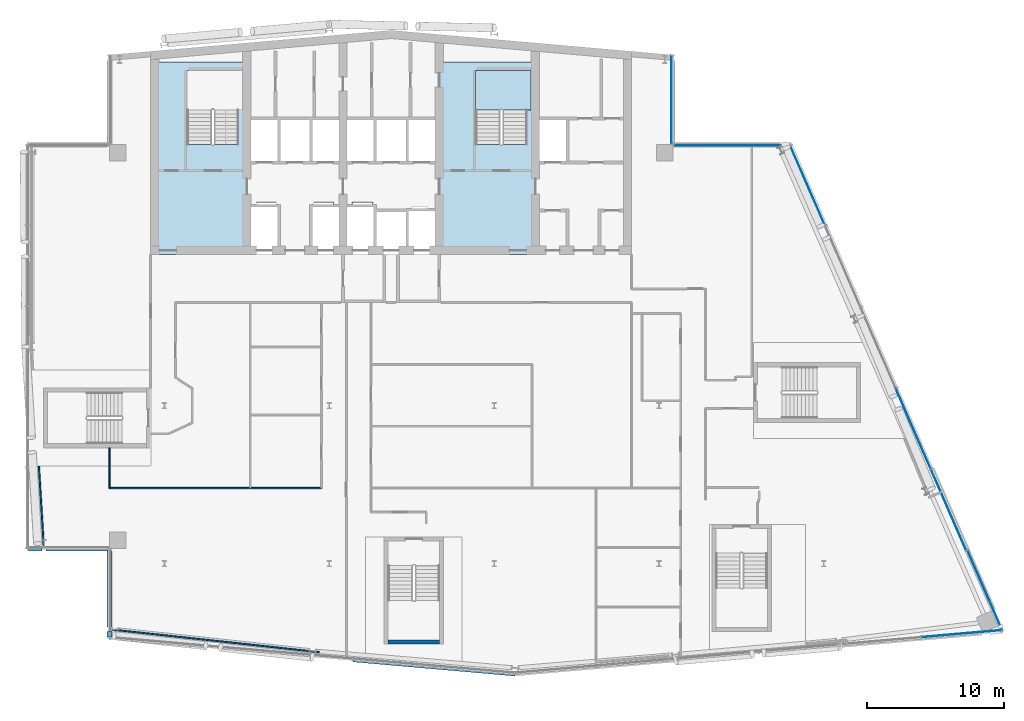
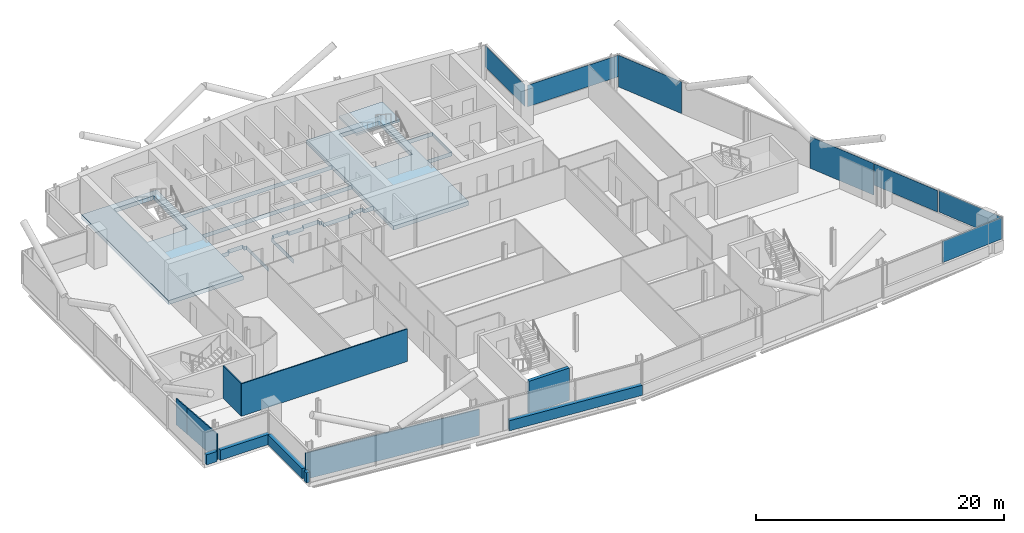
# One storey, part 14 of 27: 11 walls, 7 plates, 2 slabs, 5 elements without a shape of their own.
"""IFC4 building model written with IfcOpenShell, lengths in metres."""

from ifc_helpers import new_model, si_unit, direction, frame, frame_2d, origin, origin_2d, place, context, subcontext, project, spatial, polyline, rectangle, outline, extrude, material, layer, layer_set, type_object, element, aggregate, save


model = new_model("IFC4")

# Units and contexts
model_context = context("Model", 3, precision=1e-05, world=origin(), true_north=direction((0.0, 1.0)))
body_context = subcontext(model_context, "Body", "Model", "MODEL_VIEW")
ifc_project = project(units=[si_unit("LENGTHUNIT", "METRE"), si_unit("AREAUNIT", "SQUARE_METRE"), si_unit("VOLUMEUNIT", "CUBIC_METRE"), si_unit("PLANEANGLEUNIT", "RADIAN"), si_unit("MASSUNIT", "GRAM", prefix="KILO")], contexts=[model_context])

# Site, building, storey
site_placement = place(None, origin())
site = spatial("IfcSite", under=ifc_project, at=site_placement, CompositionType="ELEMENT")
building_placement = place(site_placement, origin())
building = spatial("IfcBuilding", under=site, at=building_placement, Name="Wharfspan Tower", CompositionType="ELEMENT")
storey_placement = place(building_placement, frame((0.0, 0.0, 228.699951)))
storey = spatial("IfcBuildingStorey", under=building, at=storey_placement, Name="L57", CompositionType="ELEMENT", Elevation=228.699951)

# Curtain wall, plate
ifc_material_1 = material(Name="Aluminium 6063-T6", Category="aluminium")
curtain_wall_type_1 = type_object("IfcCurtainWallType", Name="CURTAIN WALL FACETED FRONT", PredefinedType="NOTDEFINED", material=ifc_material_1)
curtain_wall_1_placement = place(storey_placement, origin())
curtain_wall_1 = element("IfcCurtainWall", 1, at=curtain_wall_1_placement, inside=storey, type_object=curtain_wall_type_1, Name="Curtain wall S2", PredefinedType="NOTDEFINED")
ifc_material_2 = material(Name="Glass clear low-iron double glazing", Category="glass")
ifc_layer_1 = layer(ifc_material_2, 0.040039)
ifc_layer_set_1 = layer_set([ifc_layer_1], Name="Glass clear low-iron double glazing")
plate_type_1 = type_object("IfcPlateType", Name="GLASS PANEL FACETED FRONT 40", PredefinedType="CURTAIN_PANEL", material=ifc_layer_set_1)
plate_1_placement = place(storey_placement, frame((82.021484, 6.399658, 1.0), z_axis=(0.0, 0.0, 1.0), x_axis=(0.996197, 0.087156, 0.0)))
plate_1 = element("IfcPlate", 2, at=plate_1_placement, type_object=plate_type_1, Name="Curtain wall S2 panel 6", PredefinedType="CURTAIN_PANEL", context=body_context, shape_type="SweptSolid", body=[
    extrude(rectangle(XDim=5.849365, YDim=0.040039, at=origin_2d()), origin(), (0.0, 0.0, 1.0), 2.120117),
])
aggregate(curtain_wall_1, [plate_1])

# Curtain wall, plates
curtain_wall_type_2 = type_object("IfcCurtainWallType", Name="CURTAIN WALL PROW AND END", PredefinedType="NOTDEFINED", material=ifc_material_1)
curtain_wall_2_placement = place(storey_placement, origin())
curtain_wall_2 = element("IfcCurtainWall", 3, at=curtain_wall_2_placement, inside=storey, type_object=curtain_wall_type_2, Name="Curtain wall E", PredefinedType="NOTDEFINED")
ifc_layer_2 = layer(ifc_material_2, 0.040039)
ifc_layer_set_2 = layer_set([ifc_layer_2], Name="Glass clear low-iron double glazing")
plate_type_2 = type_object("IfcPlateType", Name="GLASS PANEL PROW AND END 40", PredefinedType="CURTAIN_PANEL", material=ifc_layer_set_2)
plate_2_placement = place(storey_placement, frame((83.711426, 9.563721, 1.0), z_axis=(0.0, 0.0, 1.0), x_axis=(-0.398727, 0.917072, 0.0)))
plate_2 = element("IfcPlate", 4, at=plate_2_placement, type_object=plate_type_2, Name="Curtain wall E panel 1", PredefinedType="CURTAIN_PANEL", context=body_context, shape_type="SweptSolid", body=[
    extrude(rectangle(XDim=6.343506, YDim=0.040039, at=origin_2d()), origin(), (0.0, 0.0, 1.0), 2.120117),
])
plate_3_placement = place(storey_placement, frame((81.078857, 15.418213, 1.0), z_axis=(0.0, 0.0, 1.0), x_axis=(-0.398727, 0.917072, 0.0)))
plate_3 = element("IfcPlate", 5, at=plate_3_placement, type_object=plate_type_2, Name="Curtain wall E panel 2", PredefinedType="CURTAIN_PANEL", context=body_context, shape_type="SweptSolid", body=[
    extrude(rectangle(XDim=6.373535, YDim=0.040039, at=origin_2d()), origin(), (0.0, 0.0, 1.0), 2.120117),
])

# Curtain wall, plate
curtain_wall_3_placement = place(storey_placement, origin())
curtain_wall_3 = element("IfcCurtainWall", 6, at=curtain_wall_3_placement, inside=storey, type_object=curtain_wall_type_2, Name="Curtain wall NRE-H", PredefinedType="NOTDEFINED")
plate_4_placement = place(storey_placement, frame((65.304443, 41.919922, 1.0), z_axis=(0.0, 0.0, 1.0), x_axis=(-1.0, 0.0, 0.0)))
plate_4 = element("IfcPlate", 7, at=plate_4_placement, type_object=plate_type_2, Name="Curtain wall NRE-H panel 1", PredefinedType="CURTAIN_PANEL", context=body_context, shape_type="SweptSolid", body=[
    extrude(rectangle(XDim=8.48877, YDim=0.040039, at=origin_2d()), origin(), (0.0, 0.0, 1.0), 2.120117),
])
aggregate(curtain_wall_3, [plate_4])

curtain_wall_4_placement = place(storey_placement, origin())
curtain_wall_4 = element("IfcCurtainWall", 8, at=curtain_wall_4_placement, inside=storey, type_object=curtain_wall_type_2, Name="Curtain wall NRE-V", PredefinedType="NOTDEFINED")
plate_5_placement = place(storey_placement, frame((60.919922, 45.262451, 1.0), z_axis=(0.0, 0.0, 1.0), x_axis=(0.0, 1.0, 0.0)))
plate_5 = element("IfcPlate", 9, at=plate_5_placement, type_object=plate_type_2, Name="Curtain wall NRE-V panel 1", PredefinedType="CURTAIN_PANEL", context=body_context, shape_type="SweptSolid", body=[
    extrude(rectangle(XDim=6.405029, YDim=0.040039, at=origin_2d()), origin(), (0.0, 0.0, 1.0), 2.120117),
])
aggregate(curtain_wall_4, [plate_5])

# Plate
ifc_material_3 = material(Name="Aluminium composite opaque insulated panel", Category="aluminium")
ifc_layer_3 = layer(ifc_material_3, 0.040039)
ifc_layer_set_3 = layer_set([ifc_layer_3], Name="Aluminium composite opaque insulated panel")
plate_type_3 = type_object("IfcPlateType", Name="INFILL PANEL PROW AND END OPAQUE 40", PredefinedType="SHEET", material=ifc_layer_set_3)
plate_6_placement = place(storey_placement, frame((78.513672, 21.318115, 0.0), z_axis=(0.0, 0.0, 1.0), x_axis=(-0.398727, 0.917072, 0.0)))
plate_6 = element("IfcPlate", 10, at=plate_6_placement, type_object=plate_type_3, Name="Curtain wall E panel 3", PredefinedType="SHEET", context=body_context, shape_type="SweptSolid", body=[
    extrude(rectangle(XDim=6.373535, YDim=0.040039, at=origin_2d()), origin(), (0.0, 0.0, 1.0), 3.120117),
])

plate_7_placement = place(storey_placement, frame((70.823975, 39.004395, 0.0), z_axis=(0.0, 0.0, 1.0), x_axis=(-0.398727, 0.917072, 0.0)))
plate_7 = element("IfcPlate", 11, at=plate_7_placement, type_object=plate_type_3, Name="Curtain wall E panel 6", PredefinedType="SHEET", context=body_context, shape_type="SweptSolid", body=[
    extrude(rectangle(XDim=6.343506, YDim=0.040039, at=origin_2d()), origin(), (0.0, 0.0, 1.0), 3.120117),
])

aggregate(curtain_wall_2, [plate_2, plate_3, plate_6, plate_7])

# Slab
ifc_material_4 = material(Name="Concrete C40/50", Category="concrete")
ifc_layer_4 = layer(ifc_material_4, 0.399902)
ifc_layer_set_4 = layer_set([ifc_layer_4], Name="Concrete C40/50")
slab_type_1 = type_object("IfcSlabType", Name="Post-tensioned flat slab 400", PredefinedType="FLOOR", material=ifc_layer_set_4)
slab_1_placement = place(storey_placement, frame((0.0, 0.0, -0.400146)))
element("IfcSlab", 12, at=slab_1_placement, inside=storey, type_object=slab_type_1, Name="Core floor slab L57 part 2", PredefinedType="FLOOR", context=body_context, shape_type="SweptSolid", body=[
    extrude(outline(polyline([(23.0, 34.0), (29.998047, 34.0), (29.998047, 37.550049), (29.998047, 37.550293), (29.998047, 37.550293), (29.998047, 37.550537), (29.998291, 37.550781), (29.998291, 37.550781), (29.998291, 37.551025), (29.998535, 37.55127), (29.998535, 37.551514), (29.998779, 37.551514), (29.998779, 37.551758), (29.999023, 37.551758), (29.999268, 37.551758), (29.999512, 37.552002), (29.999512, 37.552002), (29.999756, 37.552002), (30.0, 37.552002), (30.7146, 37.552002), (30.7146, 37.800049), (30.7146, 37.800293), (30.7146, 37.800293), (30.714844, 37.800537), (30.714844, 37.800781), (30.714844, 37.800781), (30.715088, 37.801025), (30.715088, 37.80127), (30.715332, 37.801514), (30.715332, 37.801514), (30.715576, 37.801758), (30.71582, 37.801758), (30.71582, 37.801758), (30.716064, 37.802002), (30.716309, 37.802002), (30.716553, 37.802002), (30.716797, 37.802002), (32.116699, 37.802002), (32.116943, 37.802002), (32.117188, 37.802002), (32.117188, 37.802002), (32.117432, 37.801758), (32.117676, 37.801758), (32.11792, 37.801758), (32.11792, 37.801514), (32.118164, 37.801514), (32.118164, 37.80127), (32.118408, 37.801025), (32.118408, 37.800781), (32.118408, 37.800781), (32.118652, 37.800537), (32.118652, 37.800293), (32.118652, 37.800293), (32.118652, 37.800049), (32.118652, 37.552002), (32.333252, 37.552002), (32.333496, 37.552002), (32.33374, 37.552002), (32.333984, 37.552002), (32.333984, 37.551758), (32.334229, 37.551758), (32.334473, 37.551758), (32.334717, 37.551514), (32.334717, 37.551514), (32.334961, 37.55127), (32.334961, 37.551025), (32.335205, 37.550781), (32.335205, 37.550781), (32.335205, 37.550537), (32.335205, 37.550293), (32.335205, 37.550293), (32.335205, 37.550049), (32.335205, 34.0), (32.341309, 34.0), (32.341309, 37.558105), (32.126709, 37.558105), (32.126465, 37.558105), (32.126221, 37.558105), (32.126221, 37.558105), (32.125977, 37.558105), (32.125732, 37.558105), (32.125488, 37.55835), (32.125488, 37.558594), (32.125244, 37.558594), (32.125244, 37.558594), (32.125, 37.558838), (32.125, 37.559082), (32.125, 37.559082), (32.124756, 37.559326), (32.124756, 37.55957), (32.124756, 37.559814), (32.124756, 37.560059), (32.124756, 37.808105), (30.70874, 37.808105), (30.70874, 37.560059), (30.70874, 37.559814), (30.70874, 37.55957), (30.708496, 37.559326), (30.708496, 37.559082), (30.708496, 37.559082), (30.708496, 37.558838), (30.708252, 37.558594), (30.708008, 37.558594), (30.708008, 37.558594), (30.707764, 37.55835), (30.70752, 37.558105), (30.70752, 37.558105), (30.707275, 37.558105), (30.707031, 37.558105), (30.706787, 37.558105), (30.706787, 37.558105), (30.01001, 37.558105), (30.009766, 37.558105), (30.009521, 37.558105), (30.009521, 37.558105), (30.009277, 37.558105), (30.009033, 37.558105), (30.008789, 37.55835), (30.008789, 37.558594), (30.008545, 37.558594), (30.008545, 37.558594), (30.008301, 37.558838), (30.008301, 37.559082), (30.008301, 37.559082), (30.008057, 37.559326), (30.008057, 37.55957), (30.008057, 37.559814), (30.008057, 37.560059), (30.008057, 40.689941), (30.008057, 40.690186), (30.008057, 40.69043), (30.008057, 40.690674), (30.008301, 40.690918), (30.008301, 40.690918), (30.008301, 40.691162), (30.008545, 40.691406), (30.008545, 40.691406), (30.008789, 40.691406), (30.008789, 40.69165), (30.009033, 40.691895), (30.009277, 40.691895), (30.009521, 40.691895), (30.009521, 40.691895), (30.009766, 40.691895), (30.01001, 40.691895), (43.98999, 40.691895), (43.990234, 40.691895), (43.990479, 40.691895), (43.990479, 40.691895), (43.990723, 40.691895), (43.990967, 40.691895), (43.991211, 40.69165), (43.991211, 40.691406), (43.991455, 40.691406), (43.991455, 40.691406), (43.991699, 40.691162), (43.991699, 40.690918), (43.991699, 40.690918), (43.991943, 40.690674), (43.991943, 40.69043), (43.991943, 40.690186), (43.991943, 40.689941), (43.991943, 37.26001), (43.991943, 37.259766), (43.991943, 37.259521), (43.991943, 37.259521), (43.991699, 37.259277), (43.991699, 37.259033), (43.991699, 37.258789), (43.991455, 37.258789), (43.991455, 37.258545), (43.991211, 37.258545), (43.991211, 37.258301), (43.990967, 37.258301), (43.990723, 37.258301), (43.990479, 37.258057), (43.990479, 37.258057), (43.990234, 37.258057), (43.98999, 37.258057), (43.143311, 37.258057), (43.143066, 37.258057), (43.142822, 37.258057), (43.142578, 37.258057), (43.142578, 37.258301), (43.142334, 37.258301), (43.14209, 37.258301), (43.14209, 37.258545), (43.141846, 37.258545), (43.141846, 37.258789), (43.141602, 37.258789), (43.141602, 37.259033), (43.141602, 37.259277), (43.141357, 37.259521), (43.141357, 37.259521), (43.141357, 37.259766), (43.141357, 37.26001), (43.141357, 37.508057), (42.025391, 37.508057), (42.025391, 37.26001), (42.025391, 37.259766), (42.025391, 37.259521), (42.025146, 37.259521), (42.025146, 37.259277), (42.025146, 37.259033), (42.024902, 37.258789), (42.024902, 37.258789), (42.024658, 37.258545), (42.024658, 37.258545), (42.024414, 37.258301), (42.02417, 37.258301), (42.02417, 37.258301), (42.023926, 37.258057), (42.023682, 37.258057), (42.023438, 37.258057), (42.023193, 37.258057), (41.658691, 37.258057), (41.658691, 37.209961), (41.658691, 37.209717), (41.658691, 37.209717), (41.658691, 37.209473), (41.658447, 37.209229), (41.658447, 37.208984), (41.658447, 37.208984), (41.658203, 37.20874), (41.658203, 37.208496), (41.657959, 37.208496), (41.657715, 37.208252), (41.657715, 37.208252), (41.657471, 37.208252), (41.657227, 37.208008), (41.656982, 37.208008), (41.656982, 37.208008), (41.656738, 37.208008), (39.343262, 37.208008), (39.343018, 37.208008), (39.343018, 37.208008), (39.342773, 37.208008), (39.342529, 37.208252), (39.342285, 37.208252), (39.342285, 37.208252), (39.342041, 37.208496), (39.341797, 37.208496), (39.341797, 37.20874), (39.341553, 37.208984), (39.341553, 37.208984), (39.341553, 37.209229), (39.341309, 37.209473), (39.341309, 37.209717), (39.341309, 37.209717), (39.341309, 37.209961), (39.341309, 37.558105), (39.166748, 37.558105), (39.166504, 37.558105), (39.16626, 37.558105), (39.166016, 37.558105), (39.166016, 37.558105), (39.165771, 37.558105), (39.165527, 37.55835), (39.165283, 37.558594), (39.165283, 37.558594), (39.165283, 37.558594), (39.165039, 37.558838), (39.164795, 37.559082), (39.164795, 37.559082), (39.164795, 37.559326), (39.164795, 37.55957), (39.164795, 37.559814), (39.164795, 37.560059), (39.164795, 37.808105), (37.668701, 37.808105), (37.668701, 37.560059), (37.668701, 37.559814), (37.668701, 37.55957), (37.668701, 37.559326), (37.668457, 37.559082), (37.668457, 37.559082), (37.668457, 37.558838), (37.668213, 37.558594), (37.668213, 37.558594), (37.667969, 37.558594), (37.667725, 37.55835), (37.66748, 37.558105), (37.66748, 37.558105), (37.667236, 37.558105), (37.666992, 37.558105), (37.666992, 37.558105), (37.666748, 37.558105), (36.293213, 37.558105), (36.293213, 37.558105), (36.292969, 37.558105), (36.292725, 37.558105), (36.29248, 37.558105), (36.29248, 37.558105), (36.292236, 37.55835), (36.291992, 37.558594), (36.291992, 37.558594), (36.291748, 37.558594), (36.291504, 37.558838), (36.291504, 37.559082), (36.291504, 37.559082), (36.291504, 37.559326), (36.29126, 37.55957), (36.29126, 37.559814), (36.29126, 37.560059), (36.29126, 37.808105), (34.875244, 37.808105), (34.875244, 37.560059), (34.875244, 37.559814), (34.875244, 37.55957), (34.875244, 37.559326), (34.875, 37.559082), (34.875, 37.559082), (34.875, 37.558838), (34.874756, 37.558594), (34.874756, 37.558594), (34.874512, 37.558594), (34.874512, 37.55835), (34.874268, 37.558105), (34.874023, 37.558105), (34.873779, 37.558105), (34.873779, 37.558105), (34.873535, 37.558105), (34.873291, 37.558105), (34.658691, 37.558105), (34.658691, 34.0), (34.664795, 34.0), (34.664795, 37.550049), (34.664795, 37.550293), (34.664795, 37.550293), (34.664795, 37.550537), (34.664795, 37.550781), (34.664795, 37.550781), (34.665039, 37.551025), (34.665039, 37.55127), (34.665283, 37.551514), (34.665283, 37.551514), (34.665527, 37.551758), (34.665771, 37.551758), (34.666016, 37.551758), (34.666016, 37.552002), (34.66626, 37.552002), (34.666504, 37.552002), (34.666748, 37.552002), (34.881348, 37.552002), (34.881348, 37.800049), (34.881348, 37.800293), (34.881348, 37.800293), (34.881348, 37.800537), (34.881592, 37.800781), (34.881592, 37.800781), (34.881592, 37.801025), (34.881836, 37.80127), (34.881836, 37.801514), (34.88208, 37.801514), (34.88208, 37.801758), (34.882324, 37.801758), (34.882568, 37.801758), (34.882812, 37.802002), (34.882812, 37.802002), (34.883057, 37.802002), (34.883301, 37.802002), (36.283203, 37.802002), (36.283447, 37.802002), (36.283691, 37.802002), (36.283936, 37.802002), (36.28418, 37.801758), (36.28418, 37.801758), (36.284424, 37.801758), (36.284668, 37.801514), (36.284668, 37.801514), (36.284912, 37.80127), (36.284912, 37.801025), (36.285156, 37.800781), (36.285156, 37.800781), (36.285156, 37.800537), (36.2854, 37.800293), (36.2854, 37.800293), (36.2854, 37.800049), (36.2854, 37.552002), (37.674805, 37.552002), (37.674805, 37.800049), (37.674805, 37.800293), (37.674805, 37.800293), (37.674805, 37.800537), (37.674805, 37.800781), (37.674805, 37.800781), (37.675049, 37.801025), (37.675049, 37.80127), (37.675293, 37.801514), (37.675293, 37.801514), (37.675537, 37.801758), (37.675781, 37.801758), (37.675781, 37.801758), (37.676025, 37.802002), (37.67627, 37.802002), (37.676514, 37.802002), (37.676758, 37.802002), (39.156738, 37.802002), (39.156982, 37.802002), (39.156982, 37.802002), (39.157227, 37.802002), (39.157471, 37.801758), (39.157715, 37.801758), (39.157715, 37.801758), (39.157959, 37.801514), (39.158203, 37.801514), (39.158203, 37.80127), (39.158203, 37.801025), (39.158447, 37.800781), (39.158447, 37.800781), (39.158691, 37.800537), (39.158691, 37.800293), (39.158691, 37.800293), (39.158691, 37.800049), (39.158691, 37.552002), (39.333252, 37.552002), (39.333496, 37.552002), (39.33374, 37.552002), (39.333984, 37.552002), (39.333984, 37.551758), (39.334229, 37.551758), (39.334473, 37.551758), (39.334717, 37.551514), (39.334717, 37.551514), (39.334961, 37.55127), (39.334961, 37.551025), (39.335205, 37.550781), (39.335205, 37.550781), (39.335205, 37.550537), (39.335205, 37.550293), (39.335205, 37.550293), (39.335205, 37.550049), (39.335205, 37.201904), (41.664795, 37.201904), (41.664795, 37.25), (41.664795, 37.250244), (41.664795, 37.250488), (41.664795, 37.250488), (41.664795, 37.250732), (41.664795, 37.250977), (41.665039, 37.251221), (41.665039, 37.251221), (41.665283, 37.251465), (41.665283, 37.251465), (41.665527, 37.251709), (41.665771, 37.251709), (41.666016, 37.251709), (41.666016, 37.251953), (41.66626, 37.251953), (41.666504, 37.251953), (41.666748, 37.251953), (42.03125, 37.251953), (42.03125, 37.5), (42.03125, 37.500244), (42.031494, 37.500488), (42.031494, 37.500488), (42.031494, 37.500732), (42.031494, 37.500977), (42.031738, 37.501221), (42.031738, 37.501221), (42.031982, 37.501465), (42.031982, 37.501465), (42.032227, 37.501709), (42.032471, 37.501709), (42.032715, 37.501709), (42.032715, 37.501953), (42.032959, 37.501953), (42.033203, 37.501953), (42.033203, 37.501953), (43.133301, 37.501953), (43.133545, 37.501953), (43.133789, 37.501953), (43.133789, 37.501953), (43.134033, 37.501709), (43.134277, 37.501709), (43.134521, 37.501709), (43.134521, 37.501465), (43.134766, 37.501465), (43.13501, 37.501221), (43.13501, 37.501221), (43.13501, 37.500977), (43.135254, 37.500732), (43.135254, 37.500488), (43.135254, 37.500488), (43.135254, 37.500244), (43.135254, 37.5), (43.135254, 37.251953), (44.0, 37.251953), (44.000244, 37.251953), (44.000488, 37.251953), (44.000488, 37.251953), (44.000732, 37.251709), (44.000977, 37.251709), (44.001221, 37.251709), (44.001221, 37.251465), (44.001465, 37.251465), (44.001465, 37.251221), (44.001709, 37.251221), (44.001709, 37.250977), (44.001709, 37.250732), (44.001953, 37.250488), (44.001953, 37.250488), (44.001953, 37.250244), (44.001953, 37.25), (44.001953, 34.0), (51.0, 34.0), (51.008057, 34.0), (51.008057, 40.689941), (51.008057, 40.690186), (51.008057, 40.69043), (51.008057, 40.690674), (51.008301, 40.690918), (51.008301, 40.690918), (51.008301, 40.691162), (51.008545, 40.691406), (51.008545, 40.691406), (51.008789, 40.691406), (51.008789, 40.69165), (51.009033, 40.691895), (51.009277, 40.691895), (51.009521, 40.691895), (51.009521, 40.691895), (51.009766, 40.691895), (51.01001, 40.691895), (53.341309, 40.691895), (53.341309, 43.907959), (51.01001, 43.907959), (51.009766, 43.907959), (51.009521, 43.907959), (51.009521, 43.908203), (51.009277, 43.908203), (51.009033, 43.908203), (51.008789, 43.908203), (51.008789, 43.908447), (51.008545, 43.908691), (51.008545, 43.908691), (51.008301, 43.908936), (51.008301, 43.90918), (51.008301, 43.90918), (51.008057, 43.909424), (51.008057, 43.909668), (51.008057, 43.909912), (51.008057, 43.909912), (51.008057, 48.008057), (43.991943, 48.008057), (43.991943, 43.909912), (43.991943, 43.909912), (43.991943, 43.909668), (43.991943, 43.909424), (43.991699, 43.90918), (43.991699, 43.90918), (43.991699, 43.908936), (43.991455, 43.908691), (43.991455, 43.908691), (43.991211, 43.908447), (43.991211, 43.908203), (43.990967, 43.908203), (43.990723, 43.908203), (43.990479, 43.908203), (43.990479, 43.907959), (43.990234, 43.907959), (43.98999, 43.907959), (30.01001, 43.907959), (30.009766, 43.907959), (30.009521, 43.907959), (30.009521, 43.908203), (30.009277, 43.908203), (30.009033, 43.908203), (30.008789, 43.908203), (30.008789, 43.908447), (30.008545, 43.908691), (30.008545, 43.908691), (30.008301, 43.908936), (30.008301, 43.90918), (30.008301, 43.90918), (30.008057, 43.909424), (30.008057, 43.909668), (30.008057, 43.909912), (30.008057, 43.909912), (30.008057, 48.008057), (23.0, 48.008057), (23.0, 48.0), (23.0, 34.0)]), holes=[polyline([(53.333252, 43.9021), (53.333496, 43.9021), (53.33374, 43.9021), (53.333984, 43.901855), (53.333984, 43.901855), (53.334229, 43.901855), (53.334473, 43.901611), (53.334717, 43.901611), (53.334717, 43.901367), (53.334961, 43.901367), (53.334961, 43.901123), (53.335205, 43.900879), (53.335205, 43.900879), (53.335205, 43.900635), (53.335205, 43.900391), (53.335205, 43.900146), (53.335205, 43.899902), (53.335205, 40.699951), (53.335205, 40.699707), (53.335205, 40.699707), (53.335205, 40.699463), (53.335205, 40.699219), (53.335205, 40.699219), (53.334961, 40.698975), (53.334961, 40.69873), (53.334717, 40.698486), (53.334717, 40.698486), (53.334473, 40.698242), (53.334229, 40.698242), (53.333984, 40.698242), (53.333984, 40.697998), (53.33374, 40.697998), (53.333496, 40.697998), (53.333252, 40.697998), (51.0, 40.697998), (50.999756, 40.697998), (50.999512, 40.697998), (50.999512, 40.697998), (50.999268, 40.698242), (50.999023, 40.698242), (50.998779, 40.698242), (50.998779, 40.698486), (50.998535, 40.698486), (50.998535, 40.69873), (50.998291, 40.698975), (50.998291, 40.699219), (50.998291, 40.699219), (50.998047, 40.699463), (50.998047, 40.699707), (50.998047, 40.699707), (50.998047, 40.699951), (50.998047, 43.899902), (50.998047, 43.900146), (50.998047, 43.900391), (50.998047, 43.900635), (50.998291, 43.900879), (50.998291, 43.900879), (50.998291, 43.901123), (50.998535, 43.901367), (50.998535, 43.901367), (50.998779, 43.901611), (50.998779, 43.901611), (50.999023, 43.901855), (50.999268, 43.901855), (50.999512, 43.901855), (50.999512, 43.9021), (50.999756, 43.9021), (51.0, 43.9021), (53.333252, 43.9021)]), polyline([(46.649902, 41.998047), (46.649902, 41.998047), (46.649658, 41.998047), (46.649414, 41.998047), (46.64917, 41.998291), (46.64917, 41.998291), (46.648926, 41.998291), (46.648682, 41.998535), (46.648682, 41.998535), (46.648438, 41.998779), (46.648193, 41.998779), (46.648193, 41.999023), (46.648193, 41.999268), (46.648193, 41.999512), (46.647949, 41.999512), (46.647949, 41.999756), (46.647949, 42.0), (46.647949, 47.399902), (46.647949, 47.400146), (46.647949, 47.400391), (46.648193, 47.400635), (46.648193, 47.400879), (46.648193, 47.400879), (46.648193, 47.401123), (46.648438, 47.401367), (46.648682, 47.401367), (46.648682, 47.401611), (46.648926, 47.401611), (46.64917, 47.401855), (46.64917, 47.401855), (46.649414, 47.401855), (46.649658, 47.4021), (46.649902, 47.4021), (46.649902, 47.4021), (50.399902, 47.4021), (50.400146, 47.4021), (50.400391, 47.4021), (50.400635, 47.401855), (50.400879, 47.401855), (50.400879, 47.401855), (50.401123, 47.401611), (50.401367, 47.401611), (50.401367, 47.401367), (50.401611, 47.401367), (50.401611, 47.401123), (50.401855, 47.400879), (50.401855, 47.400879), (50.401855, 47.400635), (50.4021, 47.400391), (50.4021, 47.400146), (50.4021, 47.399902), (50.4021, 42.0), (50.4021, 41.999756), (50.4021, 41.999512), (50.401855, 41.999512), (50.401855, 41.999268), (50.401855, 41.999023), (50.401611, 41.998779), (50.401611, 41.998779), (50.401367, 41.998535), (50.401367, 41.998535), (50.401123, 41.998291), (50.400879, 41.998291), (50.400879, 41.998291), (50.400635, 41.998047), (50.400391, 41.998047), (50.400146, 41.998047), (50.399902, 41.998047), (46.649902, 41.998047)]), polyline([(44.0, 43.9021), (44.000244, 43.9021), (44.000488, 43.9021), (44.000488, 43.901855), (44.000732, 43.901855), (44.000977, 43.901855), (44.001221, 43.901611), (44.001221, 43.901611), (44.001465, 43.901367), (44.001465, 43.901367), (44.001709, 43.901123), (44.001709, 43.900879), (44.001709, 43.900879), (44.001953, 43.900635), (44.001953, 43.900391), (44.001953, 43.900146), (44.001953, 43.899902), (44.001953, 40.699951), (44.001953, 40.699707), (44.001953, 40.699707), (44.001953, 40.699463), (44.001709, 40.699219), (44.001709, 40.699219), (44.001709, 40.698975), (44.001465, 40.69873), (44.001465, 40.698486), (44.001221, 40.698486), (44.001221, 40.698242), (44.000977, 40.698242), (44.000732, 40.698242), (44.000488, 40.697998), (44.000488, 40.697998), (44.000244, 40.697998), (44.0, 40.697998), (30.0, 40.697998), (29.999756, 40.697998), (29.999512, 40.697998), (29.999512, 40.697998), (29.999268, 40.698242), (29.999023, 40.698242), (29.998779, 40.698242), (29.998779, 40.698486), (29.998535, 40.698486), (29.998535, 40.69873), (29.998291, 40.698975), (29.998291, 40.699219), (29.998291, 40.699219), (29.998047, 40.699463), (29.998047, 40.699707), (29.998047, 40.699707), (29.998047, 40.699951), (29.998047, 43.899902), (29.998047, 43.900146), (29.998047, 43.900391), (29.998047, 43.900635), (29.998291, 43.900879), (29.998291, 43.900879), (29.998291, 43.901123), (29.998535, 43.901367), (29.998535, 43.901367), (29.998779, 43.901611), (29.998779, 43.901611), (29.999023, 43.901855), (29.999268, 43.901855), (29.999512, 43.901855), (29.999512, 43.9021), (29.999756, 43.9021), (30.0, 43.9021), (44.0, 43.9021)]), polyline([(29.4021, 42.0), (29.4021, 41.999756), (29.4021, 41.999512), (29.401855, 41.999512), (29.401855, 41.999268), (29.401855, 41.999023), (29.401611, 41.998779), (29.401611, 41.998779), (29.401367, 41.998535), (29.401367, 41.998535), (29.401123, 41.998291), (29.400879, 41.998291), (29.400879, 41.998291), (29.400635, 41.998047), (29.400391, 41.998047), (29.400146, 41.998047), (29.399902, 41.998047), (25.649902, 41.998047), (25.649902, 41.998047), (25.649658, 41.998047), (25.649414, 41.998047), (25.64917, 41.998291), (25.64917, 41.998291), (25.648926, 41.998291), (25.648682, 41.998535), (25.648682, 41.998535), (25.648438, 41.998779), (25.648193, 41.998779), (25.648193, 41.999023), (25.648193, 41.999268), (25.648193, 41.999512), (25.647949, 41.999512), (25.647949, 41.999756), (25.647949, 42.0), (25.647949, 47.399902), (25.647949, 47.400146), (25.647949, 47.400391), (25.648193, 47.400635), (25.648193, 47.400879), (25.648193, 47.400879), (25.648193, 47.401123), (25.648438, 47.401367), (25.648682, 47.401367), (25.648682, 47.401611), (25.648926, 47.401611), (25.64917, 47.401855), (25.64917, 47.401855), (25.649414, 47.401855), (25.649658, 47.4021), (25.649902, 47.4021), (25.649902, 47.4021), (29.399902, 47.4021), (29.400146, 47.4021), (29.400391, 47.4021), (29.400635, 47.401855), (29.400879, 47.401855), (29.400879, 47.401855), (29.401123, 47.401611), (29.401367, 47.401611), (29.401367, 47.401367), (29.401611, 47.401367), (29.401611, 47.401123), (29.401855, 47.400879), (29.401855, 47.400879), (29.401855, 47.400635), (29.4021, 47.400391), (29.4021, 47.400146), (29.4021, 47.399902), (29.4021, 42.0)])]), origin(), (0.0, 0.0, 1.0), 0.400146),
])

# Stair, slab
stair_type = type_object("IfcStairType", Name="Half-turn stair 20 risers 180 mm", PredefinedType="HALF_TURN_STAIR", material=ifc_material_4)
stair_placement = place(storey_placement, origin())
stair = element("IfcStair", 13, at=stair_placement, inside=storey, type_object=stair_type, Name="L57 stair ST2", PredefinedType="HALF_TURN_STAIR")
ifc_layer_5 = layer(ifc_material_4, 0.199951)
ifc_layer_set_5 = layer_set([ifc_layer_5], Name="Concrete C40/50")
slab_type_2 = type_object("IfcSlabType", Name="Stair landing 200", PredefinedType="LANDING", material=ifc_layer_set_5)
slab_2_placement = place(storey_placement, frame((0.0, 0.0, 1.599854)))
slab_2 = element("IfcSlab", 14, at=slab_2_placement, type_object=slab_type_2, Name="ST2 landing 1", PredefinedType="LANDING", context=body_context, shape_type="SweptSolid", body=[
    extrude(outline(polyline([(46.649902, 44.52002), (50.699951, 44.52002), (50.699951, 47.399902), (46.649902, 47.399902), (46.649902, 44.52002)])), origin(), (0.0, 0.0, 1.0), 0.200195),
])
aggregate(stair, [slab_2])

# Walls
ifc_material_5 = material(Name="Gypsum board on steel studs", Category="steel")
ifc_layer_6 = layer(ifc_material_5, 0.100098)
ifc_layer_set_6 = layer_set([ifc_layer_6], Name="Gypsum board on steel studs")
wall_type_1 = type_object("IfcWallType", Name="Partition 100", PredefinedType="PARTITIONING", material=ifc_layer_set_6)
wall_1_placement = place(storey_placement, frame((14.959961, 16.995117, 0.0), z_axis=(0.0, 0.0, 1.0), x_axis=(-0.062263, 0.998056, 0.0)))
element("IfcWall", 15, at=wall_1_placement, inside=storey, type_object=wall_type_1, Name="Partition L57.w003", PredefinedType="PARTITIONING", context=body_context, shape_type="SweptSolid", body=[
    extrude(rectangle(XDim=1.588135, YDim=0.100098, at=frame_2d((0.793945, 0.0))), origin(), (0.0, 0.0, 1.0), 2.580078),
])
wall_2_placement = place(storey_placement, frame((15.223877, 12.620117, 0.0), z_axis=(0.0, 0.0, 1.0), x_axis=(-0.060214, 0.998182, 0.0)))
element("IfcWall", 16, at=wall_2_placement, inside=storey, type_object=wall_type_1, Name="Partition L57.w004", PredefinedType="PARTITIONING", context=body_context, shape_type="SweptSolid", body=[
    extrude(rectangle(XDim=4.383057, YDim=0.100098, at=frame_2d((2.191406, 0.0))), origin(), (0.0, 0.0, 1.0), 2.580078),
])
wall_3_placement = place(storey_placement, frame((20.0, 16.995117, 0.0), z_axis=(0.0, 0.0, 1.0), x_axis=(1.0, 0.0, 0.0)))
element("IfcWall", 17, at=wall_3_placement, inside=storey, type_object=wall_type_1, Name="Partition L57.w005", PredefinedType="PARTITIONING", context=body_context, shape_type="SweptSolid", body=[
    extrude(rectangle(XDim=15.439941, YDim=0.100098, at=frame_2d((7.719971, 0.0))), origin(), (0.0, 0.0, 1.0), 3.199951),
])
wall_4_placement = place(storey_placement, frame((20.0, 17.0, 0.0), z_axis=(0.0, 0.0, 1.0), x_axis=(0.0, 1.0, 0.0)))
element("IfcWall", 18, at=wall_4_placement, inside=storey, type_object=wall_type_1, Name="Partition L57.w006", PredefinedType="PARTITIONING", context=body_context, shape_type="SweptSolid", body=[
    extrude(rectangle(XDim=2.925049, YDim=0.100098, at=frame_2d((1.462402, 0.0))), origin(), (0.0, 0.0, 1.0), 3.199951),
])
wall_5_placement = place(storey_placement, frame((35.274902, 5.054932, 0.0), z_axis=(0.0, 0.0, 1.0), x_axis=(-0.994128, 0.108228, 0.0)))
element("IfcWall", 19, at=wall_5_placement, inside=storey, type_object=wall_type_1, Name="Partition L57.w017", PredefinedType="PARTITIONING", context=body_context, shape_type="SweptSolid", body=[
    extrude(rectangle(XDim=15.334961, YDim=0.100098, at=frame_2d((7.66748, 0.0))), origin(), (0.0, 0.0, 1.0), 2.580078),
])
ifc_layer_7 = layer(ifc_material_4, 0.350098)
ifc_layer_set_7 = layer_set([ifc_layer_7], Name="Concrete C40/50")
wall_type_2 = type_object("IfcWallType", Name="SPANDREL EXPOSED CONCRETE 350", PredefinedType="SOLIDWALL", material=ifc_layer_set_7)
wall_6_placement = place(storey_placement, frame((37.729492, 4.519043, 0.0), z_axis=(0.0, 0.0, 1.0), x_axis=(0.99619, -0.087167, 0.0)))
element("IfcWall", 20, at=wall_6_placement, inside=storey, type_object=wall_type_2, Name="Spandrel upstand L57 S1", PredefinedType="SOLIDWALL", context=body_context, shape_type="SweptSolid", body=[
    extrude(rectangle(XDim=11.830566, YDim=0.350098, at=frame_2d((5.915283, 0.0))), origin(), (0.0, 0.0, 1.0), 1.0),
])
wall_7_placement = place(storey_placement, frame((14.120117, 12.594971, 0.0), z_axis=(0.0, 0.0, 1.0), x_axis=(1.0, 0.0, 0.0)))
element("IfcWall", 21, at=wall_7_placement, inside=storey, type_object=wall_type_2, Name="Spandrel upstand L57 NFW-H", PredefinedType="SOLIDWALL", context=body_context, shape_type="SweptSolid", body=[
    extrude(rectangle(XDim=0.9646, YDim=0.350098, at=frame_2d((0.482422, 0.0))), origin(), (0.0, 0.0, 1.0), 1.0),
])
wall_8_placement = place(storey_placement, frame((15.390625, 12.594971, 0.0), z_axis=(0.0, 0.0, 1.0), x_axis=(1.0, 0.0, 0.0)))
element("IfcWall", 22, at=wall_8_placement, inside=storey, type_object=wall_type_2, Name="Spandrel upstand L57 NFW-H 2", PredefinedType="SOLIDWALL", context=body_context, shape_type="SweptSolid", body=[
    extrude(rectangle(XDim=4.609375, YDim=0.350098, at=frame_2d((2.304688, 0.0))), origin(), (0.0, 0.0, 1.0), 1.0),
])
wall_9_placement = place(storey_placement, frame((19.995117, 12.419922, 0.0), z_axis=(0.0, 0.0, 1.0), x_axis=(0.0, -1.0, 0.0)))
element("IfcWall", 23, at=wall_9_placement, inside=storey, type_object=wall_type_2, Name="Spandrel upstand L57 NFW-V", PredefinedType="SOLIDWALL", context=body_context, shape_type="SweptSolid", body=[
    extrude(rectangle(XDim=5.542236, YDim=0.350098, at=frame_2d((2.770996, 0.0))), origin(), (0.0, 0.0, 1.0), 1.0),
])
wall_10_placement = place(storey_placement, frame((19.995117, 6.568359, 0.0), z_axis=(0.0, 0.0, 1.0), x_axis=(0.0, -1.0, 0.0)))
element("IfcWall", 24, at=wall_10_placement, inside=storey, type_object=wall_type_2, Name="Spandrel upstand L57 NFW-V 2", PredefinedType="SOLIDWALL", context=body_context, shape_type="SweptSolid", body=[
    extrude(rectangle(XDim=0.393555, YDim=0.350098, at=frame_2d((0.196777, 0.0))), origin(), (0.0, 0.0, 1.0), 1.0),
])
ifc_layer_8 = layer(ifc_material_4, 0.300049)
ifc_layer_set_8 = layer_set([ifc_layer_8], Name="Concrete C40/50")
wall_type_3 = type_object("IfcWallType", Name="Stair core wall 300", PredefinedType="SHEAR", material=ifc_layer_set_8)
wall_11_placement = place(storey_placement, frame((40.2771, 5.793213, 0.0), z_axis=(0.0, 0.0, 1.0), x_axis=(1.0, 0.0, 0.0)))
element("IfcWall", 25, at=wall_11_placement, inside=storey, type_object=wall_type_3, Name="ST4 stair enclosure wall L57", PredefinedType="SHEAR", context=body_context, shape_type="SweptSolid", body=[
    extrude(rectangle(XDim=3.75, YDim=0.300049, at=frame_2d((1.875, 0.0))), origin(), (0.0, 0.0, 1.0), 3.199951),
])

save(model, "model.ifc")
